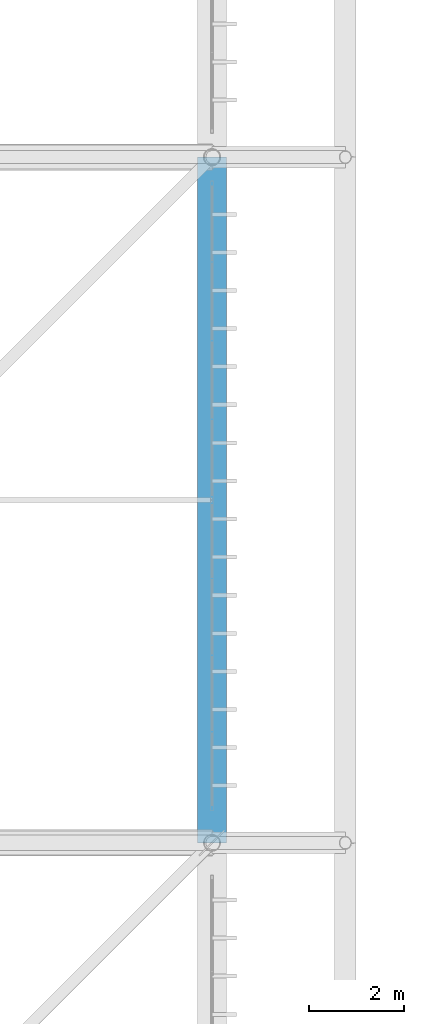
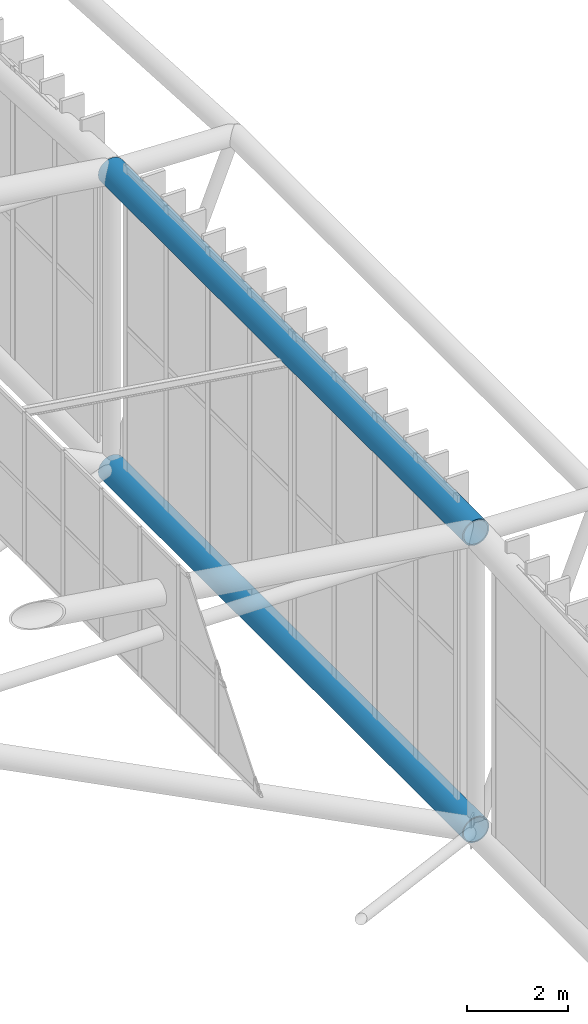
# One storey, part 279 of 397: 2 beams.
"""IFC4 building model written with IfcOpenShell, lengths in metres."""

from ifc_helpers import new_model, si_unit, direction, frame, origin, origin_2d, place, context, subcontext, project, spatial, hollow_circle, extrude, material, material_profile, profile_set, type_object, element, save


model = new_model("IFC4")

# Units and contexts
model_context = context("Model", 3, precision=1e-05, world=origin(), true_north=direction((0.0, 1.0)))
body_context = subcontext(model_context, "Body", "Model", "MODEL_VIEW")
ifc_project = project(units=[si_unit("LENGTHUNIT", "METRE"), si_unit("AREAUNIT", "SQUARE_METRE"), si_unit("VOLUMEUNIT", "CUBIC_METRE"), si_unit("PLANEANGLEUNIT", "RADIAN"), si_unit("MASSUNIT", "GRAM", prefix="KILO")], contexts=[model_context])

# Site, building, storey
site_placement = place(None, origin())
site = spatial("IfcSite", under=ifc_project, at=site_placement, CompositionType="ELEMENT")
building_placement = place(site_placement, origin())
building = spatial("IfcBuilding", under=site, at=building_placement, Name="Qandorah Velis Arena", CompositionType="ELEMENT")
storey_placement = place(building_placement, frame((0.0, 0.0, 27.5)))
storey = spatial("IfcBuildingStorey", under=building, at=storey_placement, Name="RF", CompositionType="ELEMENT", Elevation=27.5)

# Beams
ifc_material = material(Name="Steel S460", Category="steel")
ifc_material_profile_1 = material_profile(ifc_material, hollow_circle(Radius=0.304931640625, WallThickness=0.02490234375, at=origin_2d()), Name="CHS 610x25")
ifc_profile_set_1 = profile_set([ifc_material_profile_1], Name="Steel S460")
beam_type_1 = type_object("IfcBeamType", Name="STR-SFC-CHS610X25", PredefinedType="USERDEFINED", material=ifc_profile_set_1)
beam_1_placement = place(storey_placement, frame((115.199951171875, 57.60009765625, 0.10009765625), z_axis=(0.0, 1.0, 0.0), x_axis=(-1.0, 0.0, 0.0)))
element("IfcBeam", 1, at=beam_1_placement, inside=storey, type_object=beam_type_1, Name="Space frame roof truss bottom chord Y 7.3", ObjectType="ROOF TRUSS", PredefinedType="USERDEFINED", context=body_context, shape_type="SweptSolid", body=[
    extrude(hollow_circle(Radius=0.304931640625, WallThickness=0.02490234375, at=origin_2d()), origin(), (0.0, 0.0, 1.0), 14.39990234375),
])
ifc_material_profile_2 = material_profile(ifc_material, hollow_circle(Radius=0.304931640625, WallThickness=0.031982421875, at=origin_2d()), Name="CHS 610x32")
ifc_profile_set_2 = profile_set([ifc_material_profile_2], Name="Steel S460")
beam_type_2 = type_object("IfcBeamType", Name="STR-SFC-CHS610X32", PredefinedType="USERDEFINED", material=ifc_profile_set_2)
beam_2_placement = place(storey_placement, frame((115.199951171875, 57.60009765625, 7.2705078125), z_axis=(0.0, 1.0, 0.0), x_axis=(-1.0, 0.0, 0.0)))
element("IfcBeam", 2, at=beam_2_placement, inside=storey, type_object=beam_type_2, Name="Space frame roof truss top chord Y 7.3", ObjectType="ROOF TRUSS", PredefinedType="USERDEFINED", context=body_context, shape_type="SweptSolid", body=[
    extrude(hollow_circle(Radius=0.304931640625, WallThickness=0.031982421875, at=origin_2d()), origin(), (0.0, 0.0, 1.0), 14.39990234375),
])

save(model, "model.ifc")
